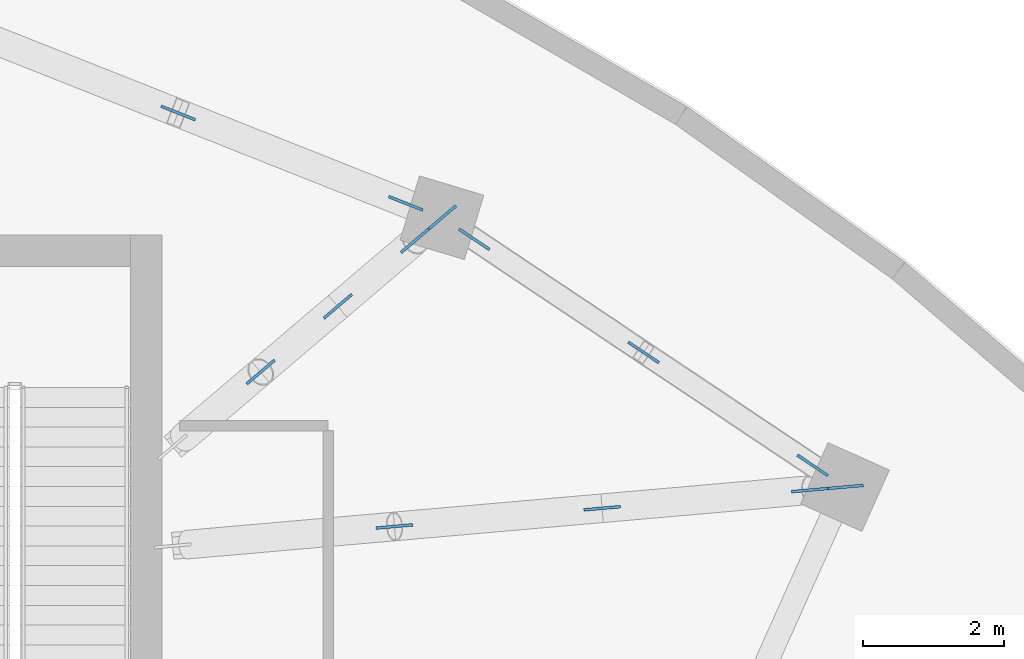
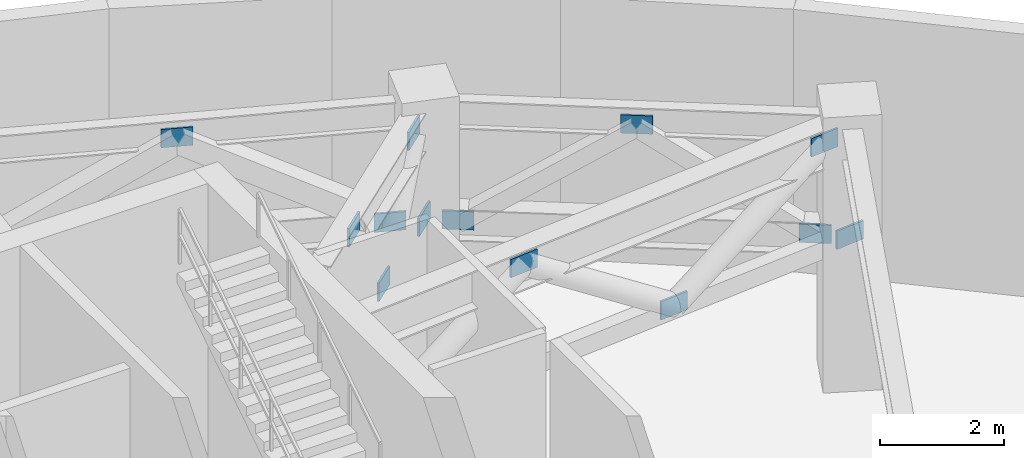
# One storey, part 5 of 10: 13 plates.
"""IFC4 building model written with IfcOpenShell, lengths in metres."""

from ifc_helpers import new_model, si_unit, direction, frame, origin, origin_2d, place, context, subcontext, project, spatial, rectangle, extrude, source, transform, mapped, material, layer, layer_set, type_object, element, save


model = new_model("IFC4")

# Units and contexts
model_context = context("Model", 3, precision=1e-05, world=origin(), true_north=direction((0.0, 1.0)))
body_context = subcontext(model_context, "Body", "Model", "MODEL_VIEW")
ifc_project = project(units=[si_unit("LENGTHUNIT", "METRE"), si_unit("AREAUNIT", "SQUARE_METRE"), si_unit("VOLUMEUNIT", "CUBIC_METRE"), si_unit("PLANEANGLEUNIT", "RADIAN"), si_unit("MASSUNIT", "GRAM", prefix="KILO")], contexts=[model_context])

# Site, building, storey
site_placement = place(None, origin())
site = spatial("IfcSite", under=ifc_project, at=site_placement, CompositionType="ELEMENT")
building_placement = place(site_placement, origin())
building = spatial("IfcBuilding", under=site, at=building_placement, Name="Breltana Convention Tower", CompositionType="ELEMENT")
storey_placement = place(building_placement, frame((0.0, 0.0, 254.699951171875)))
storey = spatial("IfcBuildingStorey", under=building, at=storey_placement, Name="L62", CompositionType="ELEMENT", Elevation=254.699951171875)

# Plates
ifc_material = material(Name="Steel S355", Category="steel")
ifc_layer = layer(ifc_material, 0.0400390625, Name="Steel S355")
ifc_layer_set = layer_set([ifc_layer], Name="Steel S355")
plate_type = type_object("IfcPlateType", Name="PL-GUSSET-40", PredefinedType="USERDEFINED", material=ifc_layer_set)
shared_shape = source(origin(), body_context, "Body", "SweptSolid", [
    extrude(rectangle(XDim=0.52001953125, YDim=0.0400390625, at=origin_2d()), origin(), (0.0, 0.0, 1.0), 0.360107421875),
])
for number, where, z_axis, x_axis, name in (
    (1, (63.208984375, 72.4423828125, 2.56982421875), (0.0, 0.0, 1.0), (0.761425177676, 0.648252804699, 0.0), "L62 Structural Brace Node Gusset Plate 012"),
    (2, (60.644287109375, 70.25927734375, 4.58349609375), (0.0, 0.0, 1.0), (0.761425177676, 0.648252804699, 0.0), "L62 Structural Brace Node Gusset Plate 013"),
    (3, (61.736328125, 71.188720703125, 2.56982421875), (0.0, 0.0, 1.0), (0.761425177676, 0.648252804699, 0.0), "L62 Structural Brace Node Gusset Plate 014"),
    (4, (62.828369140625, 72.118408203125, 4.58349609375), (0.0, 0.0, 1.0), (0.761425177676, 0.648252804699, 0.0), "L62 Structural Brace Node Gusset Plate 015"),
    (5, (68.910400390625, 68.63330078125, 2.56982421875), (0.0, 0.0, 1.0), (0.996179471372, 0.087329610194, 0.0), "L62 Structural Brace Node Gusset Plate 017"),
    (6, (62.537109375, 68.074951171875, 4.58349609375), (0.0, 0.0, 1.0), (0.996179471372, 0.087329610194, 0.0), "L62 Structural Brace Node Gusset Plate 018"),
    (7, (65.474609375, 68.332275390625, 2.56982421875), (0.0, 0.0, 1.0), (0.996179471372, 0.087329610194, 0.0), "L62 Structural Brace Node Gusset Plate 019"),
    (8, (68.412353515625, 68.589599609375, 4.58349609375), (0.0, 0.0, 1.0), (0.996179471372, 0.087329610194, 0.0), "L62 Structural Brace Node Gusset Plate 020"),
    (9, (59.477783203125, 73.923583984375, 4.58349609375), (0.0, 0.0, 1.0), (0.929454882621, -0.36893579546, 0.0), "L62 Structural Brace Node Gusset Plate 041"),
    (10, (62.69775390625, 72.6455078125, 2.56982421875), (0.0, 0.0, 1.0), (0.929454882621, -0.36893579546, 0.0), "L62 Structural Brace Node Gusset Plate 042"),
    (11, (63.666259765625, 72.136962890625, 2.56982421875), (0.0, 0.0, 1.0), (0.831469612303, -0.55557023302, 0.0), "L62 Structural Brace Node Gusset Plate 043"),
    (12, (66.059814453125, 70.537841796875, 4.58349609375), (0.0, 0.0, 1.0), (0.831469612303, -0.55557023302, 0.0), "L62 Structural Brace Node Gusset Plate 044"),
    (13, (68.453125, 68.938720703125, 2.56982421875), (0.0, 0.0, 1.0), (0.831469612303, -0.55557023302, 0.0), "L62 Structural Brace Node Gusset Plate 045"),
):
    element("IfcPlate", number, at=place(storey_placement, frame(where, z_axis=z_axis, x_axis=x_axis)), inside=storey, type_object=plate_type, Name=name, ObjectType="GUSSET_PLATE", PredefinedType="USERDEFINED", context=body_context, shape_type="MappedRepresentation", body=[
        mapped(shared_shape, transform((0.0, 0.0, 0.0), scale=1.0)),
    ])

save(model, "model.ifc")
